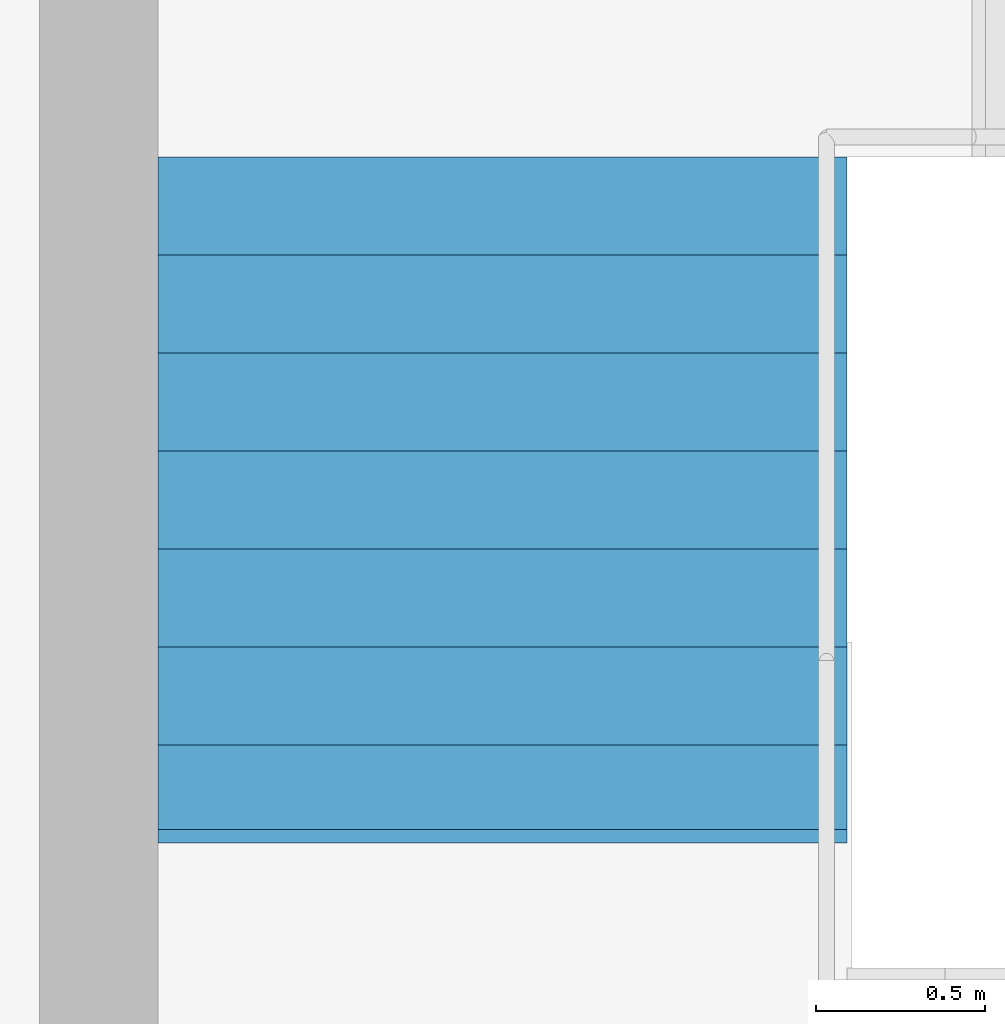
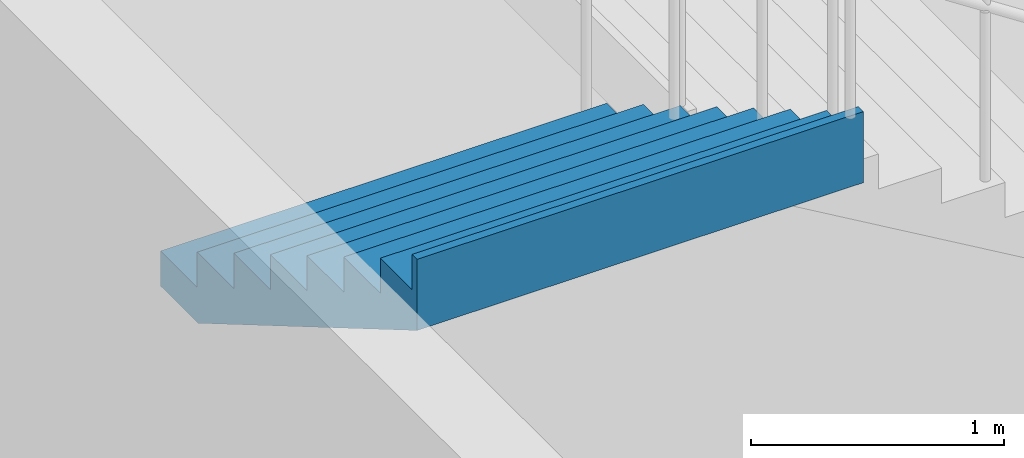
# One storey, part 34 of 50: 1 stair flight, 1 element without a shape of its own.
"""IFC4 building model written with IfcOpenShell, lengths in metres."""

from ifc_helpers import new_model, si_unit, direction, frame, origin, place, context, subcontext, project, spatial, triangles, material, type_object, element, aggregate, save


model = new_model("IFC4")

# Units and contexts
model_context = context("Model", 3, precision=1e-05, world=origin(), true_north=direction((0.0, 1.0)))
body_context = subcontext(model_context, "Body", "Model", "MODEL_VIEW")
ifc_project = project(units=[si_unit("LENGTHUNIT", "METRE"), si_unit("AREAUNIT", "SQUARE_METRE"), si_unit("VOLUMEUNIT", "CUBIC_METRE"), si_unit("PLANEANGLEUNIT", "RADIAN"), si_unit("MASSUNIT", "GRAM", prefix="KILO")], contexts=[model_context])

# Site, building, storey
site_placement = place(None, origin())
site = spatial("IfcSite", under=ifc_project, at=site_placement, CompositionType="ELEMENT")
building_placement = place(site_placement, origin())
building = spatial("IfcBuilding", under=site, at=building_placement, Name="Sillaruma Civic Art Gallery", CompositionType="ELEMENT")
storey_placement = place(building_placement, origin())
storey = spatial("IfcBuildingStorey", under=building, at=storey_placement, Name="L00", CompositionType="ELEMENT", Elevation=0.0)

# Stair, stair flight
ifc_material = material(Name="Concrete H35 (35 MPa)", Category="concrete")
stair_type = type_object("IfcStairType", Name="STR-4F-32", PredefinedType="USERDEFINED", material=ifc_material)
stair_placement = place(storey_placement, origin())
stair = element("IfcStair", 1, at=stair_placement, inside=storey, type_object=stair_type, Name="Protected Exit Stair ST-02 (West Bar North) (L00)", ObjectType="THREE_RETURN_STAIR", PredefinedType="USERDEFINED")
stair_flight_type = type_object("IfcStairFlightType", Name="SFL-STR-8", PredefinedType="STRAIGHT", material=ifc_material)
stair_flight_placement = place(storey_placement, frame((63.780029296875, 85.35009765625, 4.080078125), z_axis=(0.0, 0.0, 1.0), x_axis=(0.0, -1.0, 0.0)))
stair_flight = element("IfcStairFlight", 2, at=stair_flight_placement, type_object=stair_flight_type, Name="ST-02 flight 4", NumberOfRisers=8, NumberOfTreads=7, PredefinedType="STRAIGHT", RiserHeight=0.17, TreadLength=0.29, context=body_context, shape_type="Tessellation", body=[
    triangles([(0.0, -1.02001953125, 0.0), (0.29, -1.02001953125, 0.0), (0.296443, -1.02001953125, 0.0), (0.58, -1.02001953125, 0.166223), (0.87, -1.02001953125, 0.336223), (1.16, -1.02001953125, 0.506223), (1.45, -1.02001953125, 0.676223), (1.74, -1.02001953125, 0.846223), (1.990029, -1.02001953125, 0.992792), (2.030029, -1.02001953125, 1.01624), (2.030029, -1.02001953125, 1.36), (1.990029, -1.02001953125, 1.36), (1.990029, -1.02001953125, 1.19), (1.74, -1.02001953125, 1.19), (1.74, -1.02001953125, 1.02), (1.45, -1.02001953125, 1.02), (1.45, -1.02001953125, 0.85), (1.16, -1.02001953125, 0.85), (1.16, -1.02001953125, 0.68), (0.87, -1.02001953125, 0.68), (0.87, -1.02001953125, 0.51), (0.58, -1.02001953125, 0.51), (0.58, -1.02001953125, 0.34), (0.296443, -1.02001953125, 0.34), (0.29, -1.02001953125, 0.34), (0.29, -1.02001953125, 0.17), (0.0, -1.02001953125, 0.17), (0.0, -0.05, 0.0), (0.29, -0.05, 0.0), (0.296443, -0.05, 0.0), (0.58, -0.05, 0.166223), (0.87, -0.05, 0.336223), (1.16, -0.05, 0.506223), (1.45, -0.05, 0.676223), (1.74, -0.05, 0.846223), (1.990029, -0.05, 0.992792), (2.030029, -0.05, 1.01624), (2.030029, -0.05, 1.36), (1.990029, -0.05, 1.36), (1.990029, -0.05, 1.19), (1.74, -0.05, 1.19), (1.74, -0.05, 1.02), (1.45, -0.05, 1.02), (1.45, -0.05, 0.85), (1.16, -0.05, 0.85), (1.16, -0.05, 0.68), (0.87, -0.05, 0.68), (0.87, -0.05, 0.51), (0.58, -0.05, 0.51), (0.58, -0.05, 0.34), (0.296443, -0.05, 0.34), (0.29, -0.05, 0.34), (0.29, -0.05, 0.17), (0.0, -0.05, 0.17), (0.0, -0.0375, 0.0), (0.29, -0.0375, 0.0), (0.296443, -0.0375, 0.0), (0.58, -0.0375, 0.166223), (0.87, -0.0375, 0.336223), (1.16, -0.0375, 0.506223), (1.45, -0.0375, 0.676223), (1.74, -0.0375, 0.846223), (1.990029, -0.0375, 0.992792), (2.030029, -0.0375, 1.01624), (2.030029, -0.0375, 1.36), (1.990029, -0.0375, 1.36), (1.990029, -0.0375, 1.19), (1.74, -0.0375, 1.19), (1.74, -0.0375, 1.02), (1.45, -0.0375, 1.02), (1.45, -0.0375, 0.85), (1.16, -0.0375, 0.85), (1.16, -0.0375, 0.68), (0.87, -0.0375, 0.68), (0.87, -0.0375, 0.51), (0.58, -0.0375, 0.51), (0.58, -0.0375, 0.34), (0.296443, -0.0375, 0.34), (0.29, -0.0375, 0.34), (0.29, -0.0375, 0.17), (0.0, -0.0375, 0.17), (0.0, -0.025, 0.0), (0.29, -0.025, 0.0), (0.296443, -0.025, 0.0), (0.58, -0.025, 0.166223), (0.87, -0.025, 0.336223), (1.16, -0.025, 0.506223), (1.45, -0.025, 0.676223), (1.74, -0.025, 0.846223), (1.990029, -0.025, 0.992792), (2.030029, -0.025, 1.01624), (2.030029, -0.025, 1.36), (1.990029, -0.025, 1.36), (1.990029, -0.025, 1.19), (1.74, -0.025, 1.19), (1.74, -0.025, 1.02), (1.45, -0.025, 1.02), (1.45, -0.025, 0.85), (1.16, -0.025, 0.85), (1.16, -0.025, 0.68), (0.87, -0.025, 0.68), (0.87, -0.025, 0.51), (0.58, -0.025, 0.51), (0.58, -0.025, 0.34), (0.296443, -0.025, 0.34), (0.29, -0.025, 0.34), (0.29, -0.025, 0.17), (0.0, -0.025, 0.17), (0.0, -0.0125, 0.0), (0.29, -0.0125, 0.0), (0.296443, -0.0125, 0.0), (0.58, -0.0125, 0.166223), (0.87, -0.0125, 0.336223), (1.16, -0.0125, 0.506223), (1.45, -0.0125, 0.676223), (1.74, -0.0125, 0.846223), (1.990029, -0.0125, 0.992792), (2.030029, -0.0125, 1.01624), (2.030029, -0.0125, 1.36), (1.990029, -0.0125, 1.36), (1.990029, -0.0125, 1.19), (1.74, -0.0125, 1.19), (1.74, -0.0125, 1.02), (1.45, -0.0125, 1.02), (1.45, -0.0125, 0.85), (1.16, -0.0125, 0.85), (1.16, -0.0125, 0.68), (0.87, -0.0125, 0.68), (0.87, -0.0125, 0.51), (0.58, -0.0125, 0.51), (0.58, -0.0125, 0.34), (0.296443, -0.0125, 0.34), (0.29, -0.0125, 0.34), (0.29, -0.0125, 0.17), (0.0, -0.0125, 0.17), (0.0, 0.0, 0.0), (0.29, 0.0, 0.0), (0.296443, 0.0, 0.0), (0.58, 0.0, 0.166223), (0.87, 0.0, 0.336223), (1.16, 0.0, 0.506223), (1.45, 0.0, 0.676223), (1.74, 0.0, 0.846223), (1.990029, 0.0, 0.992792), (2.030029, 0.0, 1.01624), (2.030029, 0.0, 1.36), (1.990029, 0.0, 1.36), (1.990029, 0.0, 1.19), (1.74, 0.0, 1.19), (1.74, 0.0, 1.02), (1.45, 0.0, 1.02), (1.45, 0.0, 0.85), (1.16, 0.0, 0.85), (1.16, 0.0, 0.68), (0.87, 0.0, 0.68), (0.87, 0.0, 0.51), (0.58, 0.0, 0.51), (0.58, 0.0, 0.34), (0.296443, 0.0, 0.34), (0.29, 0.0, 0.34), (0.29, 0.0, 0.17), (0.0, 0.0, 0.17), (0.0, 0.0125, 0.0), (0.29, 0.0125, 0.0), (0.296443, 0.0125, 0.0), (0.58, 0.0125, 0.166223), (0.87, 0.0125, 0.336223), (1.16, 0.0125, 0.506223), (1.45, 0.0125, 0.676223), (1.74, 0.0125, 0.846223), (1.990029, 0.0125, 0.992792), (2.030029, 0.0125, 1.01624), (2.030029, 0.0125, 1.36), (1.990029, 0.0125, 1.36), (1.990029, 0.0125, 1.19), (1.74, 0.0125, 1.19), (1.74, 0.0125, 1.02), (1.45, 0.0125, 1.02), (1.45, 0.0125, 0.85), (1.16, 0.0125, 0.85), (1.16, 0.0125, 0.68), (0.87, 0.0125, 0.68), (0.87, 0.0125, 0.51), (0.58, 0.0125, 0.51), (0.58, 0.0125, 0.34), (0.296443, 0.0125, 0.34), (0.29, 0.0125, 0.34), (0.29, 0.0125, 0.17), (0.0, 0.0125, 0.17), (0.0, 0.025, 0.0), (0.29, 0.025, 0.0), (0.296443, 0.025, 0.0), (0.58, 0.025, 0.166223), (0.87, 0.025, 0.336223), (1.16, 0.025, 0.506223), (1.45, 0.025, 0.676223), (1.74, 0.025, 0.846223), (1.990029, 0.025, 0.992792), (2.030029, 0.025, 1.01624), (2.030029, 0.025, 1.36), (1.990029, 0.025, 1.36), (1.990029, 0.025, 1.19), (1.74, 0.025, 1.19), (1.74, 0.025, 1.02), (1.45, 0.025, 1.02), (1.45, 0.025, 0.85), (1.16, 0.025, 0.85), (1.16, 0.025, 0.68), (0.87, 0.025, 0.68), (0.87, 0.025, 0.51), (0.58, 0.025, 0.51), (0.58, 0.025, 0.34), (0.296443, 0.025, 0.34), (0.29, 0.025, 0.34), (0.29, 0.025, 0.17), (0.0, 0.025, 0.17), (0.0, 0.0375, 0.0), (0.29, 0.0375, 0.0), (0.296443, 0.0375, 0.0), (0.58, 0.0375, 0.166223), (0.87, 0.0375, 0.336223), (1.16, 0.0375, 0.506223), (1.45, 0.0375, 0.676223), (1.74, 0.0375, 0.846223), (1.990029, 0.0375, 0.992792), (2.030029, 0.0375, 1.01624), (2.030029, 0.0375, 1.36), (1.990029, 0.0375, 1.36), (1.990029, 0.0375, 1.19), (1.74, 0.0375, 1.19), (1.74, 0.0375, 1.02), (1.45, 0.0375, 1.02), (1.45, 0.0375, 0.85), (1.16, 0.0375, 0.85), (1.16, 0.0375, 0.68), (0.87, 0.0375, 0.68), (0.87, 0.0375, 0.51), (0.58, 0.0375, 0.51), (0.58, 0.0375, 0.34), (0.296443, 0.0375, 0.34), (0.29, 0.0375, 0.34), (0.29, 0.0375, 0.17), (0.0, 0.0375, 0.17), (0.0, 0.05, 0.0), (0.29, 0.05, 0.0), (0.296443, 0.05, 0.0), (0.58, 0.05, 0.166223), (0.87, 0.05, 0.336223), (1.16, 0.05, 0.506223), (1.45, 0.05, 0.676223), (1.74, 0.05, 0.846223), (1.990029, 0.05, 0.992792), (2.030029, 0.05, 1.01624), (2.030029, 0.05, 1.36), (1.990029, 0.05, 1.36), (1.990029, 0.05, 1.19), (1.74, 0.05, 1.19), (1.74, 0.05, 1.02), (1.45, 0.05, 1.02), (1.45, 0.05, 0.85), (1.16, 0.05, 0.85), (1.16, 0.05, 0.68), (0.87, 0.05, 0.68), (0.87, 0.05, 0.51), (0.58, 0.05, 0.51), (0.58, 0.05, 0.34), (0.296443, 0.05, 0.34), (0.29, 0.05, 0.34), (0.29, 0.05, 0.17), (0.0, 0.05, 0.17), (0.0, 1.02001953125, 0.0), (0.29, 1.02001953125, 0.0), (0.296443, 1.02001953125, 0.0), (0.58, 1.02001953125, 0.166223), (0.87, 1.02001953125, 0.336223), (1.16, 1.02001953125, 0.506223), (1.45, 1.02001953125, 0.676223), (1.74, 1.02001953125, 0.846223), (1.990029, 1.02001953125, 0.992792), (2.030029, 1.02001953125, 1.01624), (2.030029, 1.02001953125, 1.36), (1.990029, 1.02001953125, 1.36), (1.990029, 1.02001953125, 1.19), (1.74, 1.02001953125, 1.19), (1.74, 1.02001953125, 1.02), (1.45, 1.02001953125, 1.02), (1.45, 1.02001953125, 0.85), (1.16, 1.02001953125, 0.85), (1.16, 1.02001953125, 0.68), (0.87, 1.02001953125, 0.68), (0.87, 1.02001953125, 0.51), (0.58, 1.02001953125, 0.51), (0.58, 1.02001953125, 0.34), (0.296443, 1.02001953125, 0.34), (0.29, 1.02001953125, 0.34), (0.29, 1.02001953125, 0.17), (0.0, 1.02001953125, 0.17)], [[1, 2, 26], [1, 26, 27], [2, 3, 24], [2, 24, 26], [26, 24, 25], [3, 4, 23], [3, 23, 24], [4, 5, 21], [4, 21, 23], [23, 21, 22], [5, 6, 19], [5, 19, 21], [21, 19, 20], [6, 7, 17], [6, 17, 19], [19, 17, 18], [7, 8, 15], [7, 15, 17], [17, 15, 16], [8, 9, 13], [8, 13, 15], [15, 13, 14], [9, 10, 11], [9, 11, 13], [13, 11, 12], [296, 272, 271], [297, 296, 271], [294, 273, 272], [296, 294, 272], [295, 294, 296], [293, 274, 273], [294, 293, 273], [291, 275, 274], [293, 291, 274], [292, 291, 293], [289, 276, 275], [291, 289, 275], [290, 289, 291], [287, 277, 276], [289, 287, 276], [288, 287, 289], [285, 278, 277], [287, 285, 277], [286, 285, 287], [283, 279, 278], [285, 283, 278], [284, 283, 285], [281, 280, 279], [283, 281, 279], [282, 281, 283], [2, 1, 28], [2, 28, 29], [3, 2, 29], [3, 29, 30], [4, 3, 30], [4, 30, 31], [5, 4, 31], [5, 31, 32], [6, 5, 32], [6, 32, 33], [7, 6, 33], [7, 33, 34], [8, 7, 34], [8, 34, 35], [9, 8, 35], [9, 35, 36], [10, 9, 36], [10, 36, 37], [11, 10, 37], [11, 37, 38], [12, 11, 38], [12, 38, 39], [13, 12, 39], [13, 39, 40], [14, 13, 40], [14, 40, 41], [15, 14, 41], [15, 41, 42], [16, 15, 42], [16, 42, 43], [17, 16, 43], [17, 43, 44], [18, 17, 44], [18, 44, 45], [19, 18, 45], [19, 45, 46], [20, 19, 46], [20, 46, 47], [21, 20, 47], [21, 47, 48], [22, 21, 48], [22, 48, 49], [23, 22, 49], [23, 49, 50], [24, 23, 50], [24, 50, 51], [25, 24, 51], [25, 51, 52], [26, 25, 52], [26, 52, 53], [27, 26, 53], [27, 53, 54], [1, 27, 54], [1, 54, 28], [29, 28, 55], [29, 55, 56], [30, 29, 56], [30, 56, 57], [31, 30, 57], [31, 57, 58], [32, 31, 58], [32, 58, 59], [33, 32, 59], [33, 59, 60], [34, 33, 60], [34, 60, 61], [35, 34, 61], [35, 61, 62], [36, 35, 62], [36, 62, 63], [37, 36, 63], [37, 63, 64], [38, 37, 64], [38, 64, 65], [39, 38, 65], [39, 65, 66], [40, 39, 66], [40, 66, 67], [41, 40, 67], [41, 67, 68], [42, 41, 68], [42, 68, 69], [43, 42, 69], [43, 69, 70], [44, 43, 70], [44, 70, 71], [45, 44, 71], [45, 71, 72], [46, 45, 72], [46, 72, 73], [47, 46, 73], [47, 73, 74], [48, 47, 74], [48, 74, 75], [49, 48, 75], [49, 75, 76], [50, 49, 76], [50, 76, 77], [51, 50, 77], [51, 77, 78], [52, 51, 78], [52, 78, 79], [53, 52, 79], [53, 79, 80], [54, 53, 80], [54, 80, 81], [28, 54, 81], [28, 81, 55], [56, 55, 82], [56, 82, 83], [57, 56, 83], [57, 83, 84], [58, 57, 84], [58, 84, 85], [59, 58, 85], [59, 85, 86], [60, 59, 86], [60, 86, 87], [61, 60, 87], [61, 87, 88], [62, 61, 88], [62, 88, 89], [63, 62, 89], [63, 89, 90], [64, 63, 90], [64, 90, 91], [65, 64, 91], [65, 91, 92], [66, 65, 92], [66, 92, 93], [67, 66, 93], [67, 93, 94], [68, 67, 94], [68, 94, 95], [69, 68, 95], [69, 95, 96], [70, 69, 96], [70, 96, 97], [71, 70, 97], [71, 97, 98], [72, 71, 98], [72, 98, 99], [73, 72, 99], [73, 99, 100], [74, 73, 100], [74, 100, 101], [75, 74, 101], [75, 101, 102], [76, 75, 102], [76, 102, 103], [77, 76, 103], [77, 103, 104], [78, 77, 104], [78, 104, 105], [79, 78, 105], [79, 105, 106], [80, 79, 106], [80, 106, 107], [81, 80, 107], [81, 107, 108], [55, 81, 108], [55, 108, 82], [83, 82, 109], [83, 109, 110], [84, 83, 110], [84, 110, 111], [85, 84, 111], [85, 111, 112], [86, 85, 112], [86, 112, 113], [87, 86, 113], [87, 113, 114], [88, 87, 114], [88, 114, 115], [89, 88, 115], [89, 115, 116], [90, 89, 116], [90, 116, 117], [91, 90, 117], [91, 117, 118], [92, 91, 118], [92, 118, 119], [93, 92, 119], [93, 119, 120], [94, 93, 120], [94, 120, 121], [95, 94, 121], [95, 121, 122], [96, 95, 122], [96, 122, 123], [97, 96, 123], [97, 123, 124], [98, 97, 124], [98, 124, 125], [99, 98, 125], [99, 125, 126], [100, 99, 126], [100, 126, 127], [101, 100, 127], [101, 127, 128], [102, 101, 128], [102, 128, 129], [103, 102, 129], [103, 129, 130], [104, 103, 130], [104, 130, 131], [105, 104, 131], [105, 131, 132], [106, 105, 132], [106, 132, 133], [107, 106, 133], [107, 133, 134], [108, 107, 134], [108, 134, 135], [82, 108, 135], [82, 135, 109], [110, 109, 136], [110, 136, 137], [111, 110, 137], [111, 137, 138], [112, 111, 138], [112, 138, 139], [113, 112, 139], [113, 139, 140], [114, 113, 140], [114, 140, 141], [115, 114, 141], [115, 141, 142], [116, 115, 142], [116, 142, 143], [117, 116, 143], [117, 143, 144], [118, 117, 144], [118, 144, 145], [119, 118, 145], [119, 145, 146], [120, 119, 146], [120, 146, 147], [121, 120, 147], [121, 147, 148], [122, 121, 148], [122, 148, 149], [123, 122, 149], [123, 149, 150], [124, 123, 150], [124, 150, 151], [125, 124, 151], [125, 151, 152], [126, 125, 152], [126, 152, 153], [127, 126, 153], [127, 153, 154], [128, 127, 154], [128, 154, 155], [129, 128, 155], [129, 155, 156], [130, 129, 156], [130, 156, 157], [131, 130, 157], [131, 157, 158], [132, 131, 158], [132, 158, 159], [133, 132, 159], [133, 159, 160], [134, 133, 160], [134, 160, 161], [135, 134, 161], [135, 161, 162], [109, 135, 162], [109, 162, 136], [137, 136, 163], [137, 163, 164], [138, 137, 164], [138, 164, 165], [139, 138, 165], [139, 165, 166], [140, 139, 166], [140, 166, 167], [141, 140, 167], [141, 167, 168], [142, 141, 168], [142, 168, 169], [143, 142, 169], [143, 169, 170], [144, 143, 170], [144, 170, 171], [145, 144, 171], [145, 171, 172], [146, 145, 172], [146, 172, 173], [147, 146, 173], [147, 173, 174], [148, 147, 174], [148, 174, 175], [149, 148, 175], [149, 175, 176], [150, 149, 176], [150, 176, 177], [151, 150, 177], [151, 177, 178], [152, 151, 178], [152, 178, 179], [153, 152, 179], [153, 179, 180], [154, 153, 180], [154, 180, 181], [155, 154, 181], [155, 181, 182], [156, 155, 182], [156, 182, 183], [157, 156, 183], [157, 183, 184], [158, 157, 184], [158, 184, 185], [159, 158, 185], [159, 185, 186], [160, 159, 186], [160, 186, 187], [161, 160, 187], [161, 187, 188], [162, 161, 188], [162, 188, 189], [136, 162, 189], [136, 189, 163], [164, 163, 190], [164, 190, 191], [165, 164, 191], [165, 191, 192], [166, 165, 192], [166, 192, 193], [167, 166, 193], [167, 193, 194], [168, 167, 194], [168, 194, 195], [169, 168, 195], [169, 195, 196], [170, 169, 196], [170, 196, 197], [171, 170, 197], [171, 197, 198], [172, 171, 198], [172, 198, 199], [173, 172, 199], [173, 199, 200], [174, 173, 200], [174, 200, 201], [175, 174, 201], [175, 201, 202], [176, 175, 202], [176, 202, 203], [177, 176, 203], [177, 203, 204], [178, 177, 204], [178, 204, 205], [179, 178, 205], [179, 205, 206], [180, 179, 206], [180, 206, 207], [181, 180, 207], [181, 207, 208], [182, 181, 208], [182, 208, 209], [183, 182, 209], [183, 209, 210], [184, 183, 210], [184, 210, 211], [185, 184, 211], [185, 211, 212], [186, 185, 212], [186, 212, 213], [187, 186, 213], [187, 213, 214], [188, 187, 214], [188, 214, 215], [189, 188, 215], [189, 215, 216], [163, 189, 216], [163, 216, 190], [191, 190, 217], [191, 217, 218], [192, 191, 218], [192, 218, 219], [193, 192, 219], [193, 219, 220], [194, 193, 220], [194, 220, 221], [195, 194, 221], [195, 221, 222], [196, 195, 222], [196, 222, 223], [197, 196, 223], [197, 223, 224], [198, 197, 224], [198, 224, 225], [199, 198, 225], [199, 225, 226], [200, 199, 226], [200, 226, 227], [201, 200, 227], [201, 227, 228], [202, 201, 228], [202, 228, 229], [203, 202, 229], [203, 229, 230], [204, 203, 230], [204, 230, 231], [205, 204, 231], [205, 231, 232], [206, 205, 232], [206, 232, 233], [207, 206, 233], [207, 233, 234], [208, 207, 234], [208, 234, 235], [209, 208, 235], [209, 235, 236], [210, 209, 236], [210, 236, 237], [211, 210, 237], [211, 237, 238], [212, 211, 238], [212, 238, 239], [213, 212, 239], [213, 239, 240], [214, 213, 240], [214, 240, 241], [215, 214, 241], [215, 241, 242], [216, 215, 242], [216, 242, 243], [190, 216, 243], [190, 243, 217], [218, 217, 244], [218, 244, 245], [219, 218, 245], [219, 245, 246], [220, 219, 246], [220, 246, 247], [221, 220, 247], [221, 247, 248], [222, 221, 248], [222, 248, 249], [223, 222, 249], [223, 249, 250], [224, 223, 250], [224, 250, 251], [225, 224, 251], [225, 251, 252], [226, 225, 252], [226, 252, 253], [227, 226, 253], [227, 253, 254], [228, 227, 254], [228, 254, 255], [229, 228, 255], [229, 255, 256], [230, 229, 256], [230, 256, 257], [231, 230, 257], [231, 257, 258], [232, 231, 258], [232, 258, 259], [233, 232, 259], [233, 259, 260], [234, 233, 260], [234, 260, 261], [235, 234, 261], [235, 261, 262], [236, 235, 262], [236, 262, 263], [237, 236, 263], [237, 263, 264], [238, 237, 264], [238, 264, 265], [239, 238, 265], [239, 265, 266], [240, 239, 266], [240, 266, 267], [241, 240, 267], [241, 267, 268], [242, 241, 268], [242, 268, 269], [243, 242, 269], [243, 269, 270], [217, 243, 270], [217, 270, 244], [245, 244, 271], [245, 271, 272], [246, 245, 272], [246, 272, 273], [247, 246, 273], [247, 273, 274], [248, 247, 274], [248, 274, 275], [249, 248, 275], [249, 275, 276], [250, 249, 276], [250, 276, 277], [251, 250, 277], [251, 277, 278], [252, 251, 278], [252, 278, 279], [253, 252, 279], [253, 279, 280], [254, 253, 280], [254, 280, 281], [255, 254, 281], [255, 281, 282], [256, 255, 282], [256, 282, 283], [257, 256, 283], [257, 283, 284], [258, 257, 284], [258, 284, 285], [259, 258, 285], [259, 285, 286], [260, 259, 286], [260, 286, 287], [261, 260, 287], [261, 287, 288], [262, 261, 288], [262, 288, 289], [263, 262, 289], [263, 289, 290], [264, 263, 290], [264, 290, 291], [265, 264, 291], [265, 291, 292], [266, 265, 292], [266, 292, 293], [267, 266, 293], [267, 293, 294], [268, 267, 294], [268, 294, 295], [269, 268, 295], [269, 295, 296], [270, 269, 296], [270, 296, 297], [244, 270, 297], [244, 297, 271]], closed=True),
])
aggregate(stair, [stair_flight])

save(model, "model.ifc")
